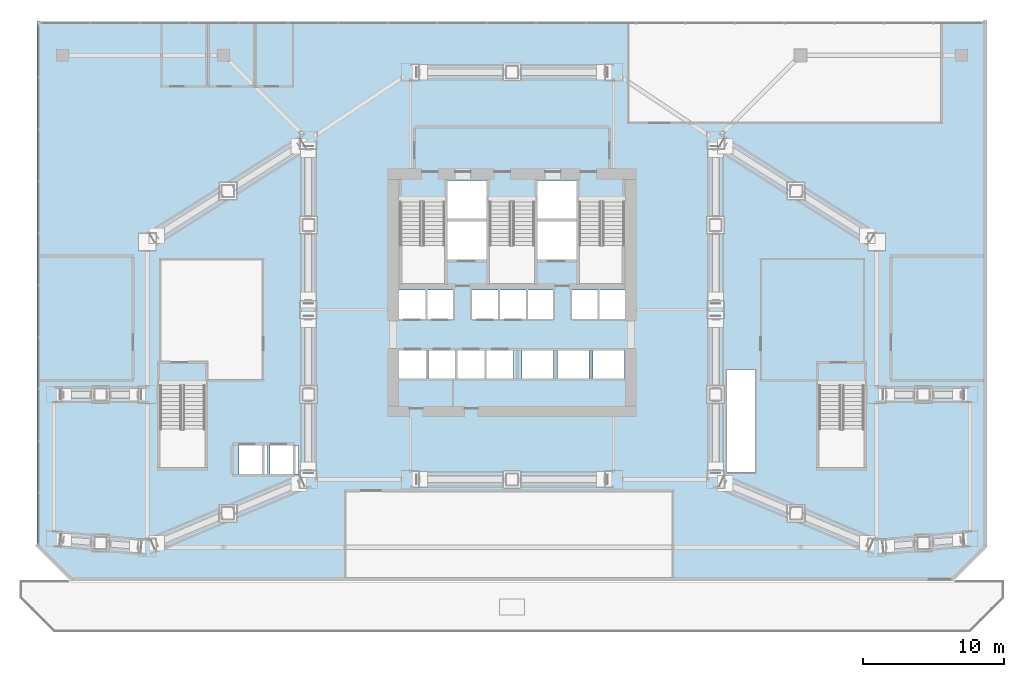
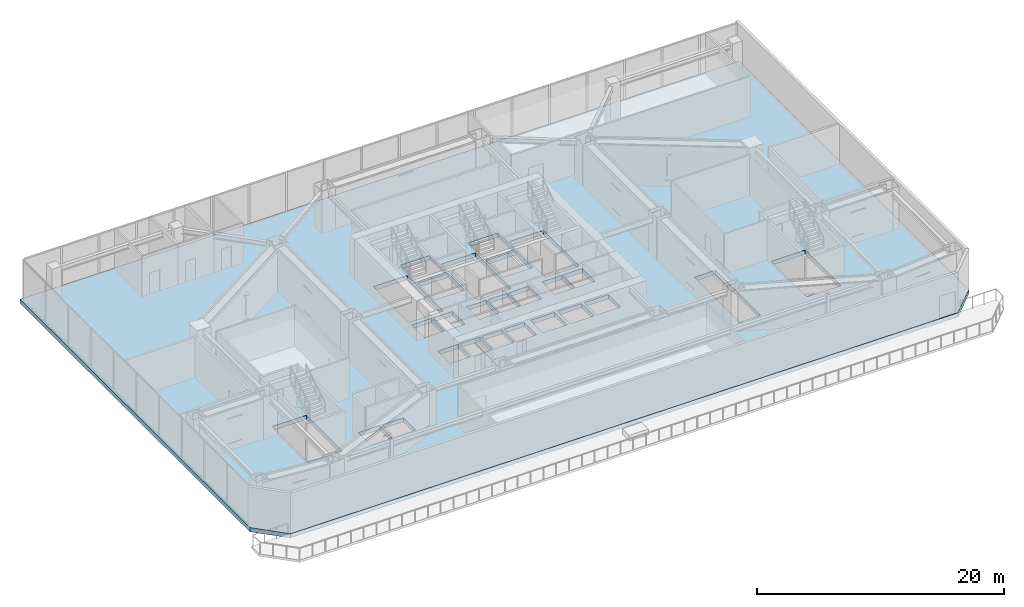
# One storey, part 23 of 39: 1 slab.
"""IFC4 building model written with IfcOpenShell, lengths in metres."""

from ifc_helpers import new_model, si_unit, direction, frame, origin, place, context, subcontext, project, spatial, polyline, outline, extrude, material, layer, layer_set, type_object, element, save


model = new_model("IFC4")

# Units and contexts
model_context = context("Model", 3, precision=1e-05, world=origin(), true_north=direction((0.0, 1.0)))
body_context = subcontext(model_context, "Body", "Model", "MODEL_VIEW")
ifc_project = project(units=[si_unit("LENGTHUNIT", "METRE"), si_unit("AREAUNIT", "SQUARE_METRE"), si_unit("VOLUMEUNIT", "CUBIC_METRE"), si_unit("PLANEANGLEUNIT", "RADIAN"), si_unit("MASSUNIT", "GRAM", prefix="KILO")], contexts=[model_context])

# Site, building, storey
site_placement = place(None, origin())
site = spatial("IfcSite", under=ifc_project, at=site_placement, CompositionType="ELEMENT")
building_placement = place(site_placement, origin())
building = spatial("IfcBuilding", under=site, at=building_placement, Name="Haolan Belvedere Tower", CompositionType="ELEMENT")
storey_placement = place(building_placement, frame((0.0, 0.0, 19.800048828125)))
storey = spatial("IfcBuildingStorey", under=building, at=storey_placement, Name="L04", CompositionType="ELEMENT", Elevation=19.800048828125)

# Slab
ifc_material = material(Name="Concrete C50/60", Category="concrete")
ifc_layer = layer(ifc_material, 0.419921875, Name="Concrete C50/60")
ifc_layer_set = layer_set([ifc_layer], Name="Concrete C50/60")
slab_type = type_object("IfcSlabType", Name="SL-FLR-420", PredefinedType="FLOOR", material=ifc_layer_set)
slab_placement = place(storey_placement, frame((0.0, 0.0, -0.420166015625)))
element("IfcSlab", 1, at=slab_placement, inside=storey, type_object=slab_type, Name="L04 structural floor slab", PredefinedType="FLOOR", context=body_context, shape_type="SweptSolid", body=[
    extrude(outline(polyline([(7.199951171875, 14.39990234375), (69.60009765625, 14.39990234375), (72.0, 16.800048828125), (72.0, 54.0), (4.800048828125, 54.0), (4.800048828125, 16.800048828125), (7.199951171875, 14.39990234375)]), holes=[polyline([(30.449951171875, 41.22998046875), (30.449951171875, 35.449951171875), (33.6298828125, 35.449951171875), (33.6298828125, 41.22998046875), (30.449951171875, 41.22998046875)]), polyline([(36.81005859375, 41.22998046875), (36.81005859375, 35.449951171875), (39.989990234375, 35.449951171875), (39.989990234375, 41.22998046875), (36.81005859375, 41.22998046875)]), polyline([(43.169921875, 41.22998046875), (43.169921875, 35.449951171875), (46.35009765625, 35.449951171875), (46.35009765625, 41.22998046875), (43.169921875, 41.22998046875)]), polyline([(13.5, 28.22998046875), (13.5, 22.449951171875), (16.679931640625, 22.449951171875), (16.679931640625, 28.22998046875), (13.5, 28.22998046875)]), polyline([(60.1201171875, 28.22998046875), (60.1201171875, 22.449951171875), (63.300048828125, 22.449951171875), (63.300048828125, 28.22998046875), (60.1201171875, 28.22998046875)]), polyline([(53.6201171875, 22.080078125), (55.580078125, 22.080078125), (55.580078125, 29.385009765625), (53.6201171875, 29.385009765625), (53.6201171875, 22.080078125)]), polyline([(33.830078125, 40.050048828125), (36.610107421875, 40.050048828125), (36.610107421875, 42.75), (33.830078125, 42.75), (33.830078125, 40.050048828125)]), polyline([(33.830078125, 37.14990234375), (36.610107421875, 37.14990234375), (36.610107421875, 39.85009765625), (33.830078125, 39.85009765625), (33.830078125, 37.14990234375)]), polyline([(40.18994140625, 40.050048828125), (42.969970703125, 40.050048828125), (42.969970703125, 42.75), (40.18994140625, 42.75), (40.18994140625, 40.050048828125)]), polyline([(40.18994140625, 37.14990234375), (42.969970703125, 37.14990234375), (42.969970703125, 39.85009765625), (40.18994140625, 39.85009765625), (40.18994140625, 37.14990234375)]), polyline([(30.419921875, 32.949951171875), (32.27001953125, 32.949951171875), (32.27001953125, 35.0), (30.419921875, 35.0), (30.419921875, 32.949951171875)]), polyline([(32.409912109375, 32.949951171875), (34.260009765625, 32.949951171875), (34.260009765625, 35.0), (32.409912109375, 35.0), (32.409912109375, 32.949951171875)]), polyline([(35.56005859375, 32.949951171875), (37.409912109375, 32.949951171875), (37.409912109375, 35.0), (35.56005859375, 35.0), (35.56005859375, 32.949951171875)]), polyline([(37.550048828125, 32.949951171875), (39.39990234375, 32.949951171875), (39.39990234375, 35.0), (37.550048828125, 35.0), (37.550048828125, 32.949951171875)]), polyline([(39.5400390625, 32.949951171875), (41.389892578125, 32.949951171875), (41.389892578125, 35.0), (39.5400390625, 35.0), (39.5400390625, 32.949951171875)]), polyline([(42.6201171875, 32.949951171875), (44.469970703125, 32.949951171875), (44.469970703125, 35.0), (42.6201171875, 35.0), (42.6201171875, 32.949951171875)]), polyline([(44.580078125, 32.949951171875), (46.3798828125, 32.949951171875), (46.3798828125, 35.0), (44.580078125, 35.0), (44.580078125, 32.949951171875)]), polyline([(30.419921875, 28.75), (32.320068359375, 28.75), (32.320068359375, 30.75), (30.419921875, 30.75), (30.419921875, 28.75)]), polyline([(32.47998046875, 28.75), (34.3798828125, 28.75), (34.3798828125, 30.75), (32.47998046875, 30.75), (32.47998046875, 28.75)]), polyline([(34.5400390625, 28.75), (36.43994140625, 28.75), (36.43994140625, 30.75), (34.5400390625, 30.75), (34.5400390625, 28.75)]), polyline([(36.60009765625, 28.75), (38.5, 28.75), (38.5, 30.75), (36.60009765625, 30.75), (36.60009765625, 28.75)]), polyline([(39.10009765625, 28.75), (41.340087890625, 28.75), (41.340087890625, 30.75), (39.10009765625, 30.75), (39.10009765625, 28.75)]), polyline([(41.610107421875, 28.75), (43.85009765625, 28.75), (43.85009765625, 30.75), (41.610107421875, 30.75), (41.610107421875, 28.75)]), polyline([(44.1201171875, 28.75), (46.360107421875, 28.75), (46.360107421875, 30.75), (44.1201171875, 30.75), (44.1201171875, 28.75)]), polyline([(19.10009765625, 22.0), (21.10009765625, 22.0), (21.10009765625, 24.0), (19.10009765625, 24.0), (19.10009765625, 22.0)]), polyline([(21.300048828125, 22.0), (23.300048828125, 22.0), (23.300048828125, 24.0), (21.300048828125, 24.0), (21.300048828125, 22.0)])]), origin(), (0.0, 0.0, 1.0), 0.420166015625),
])

save(model, "model.ifc")
